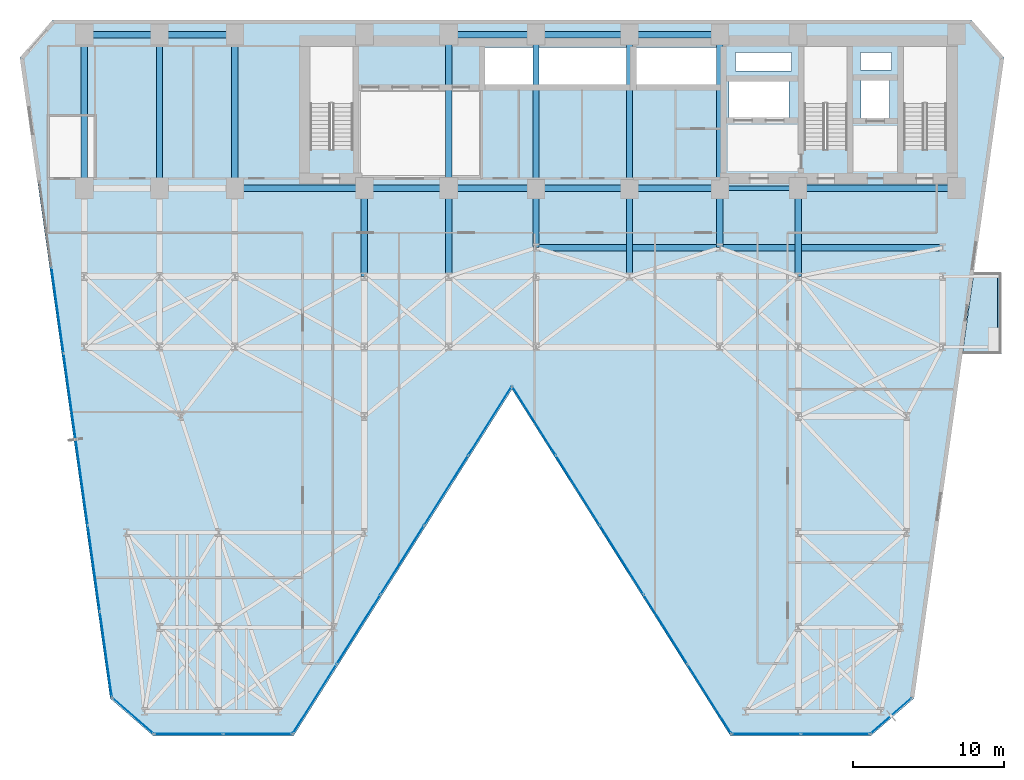
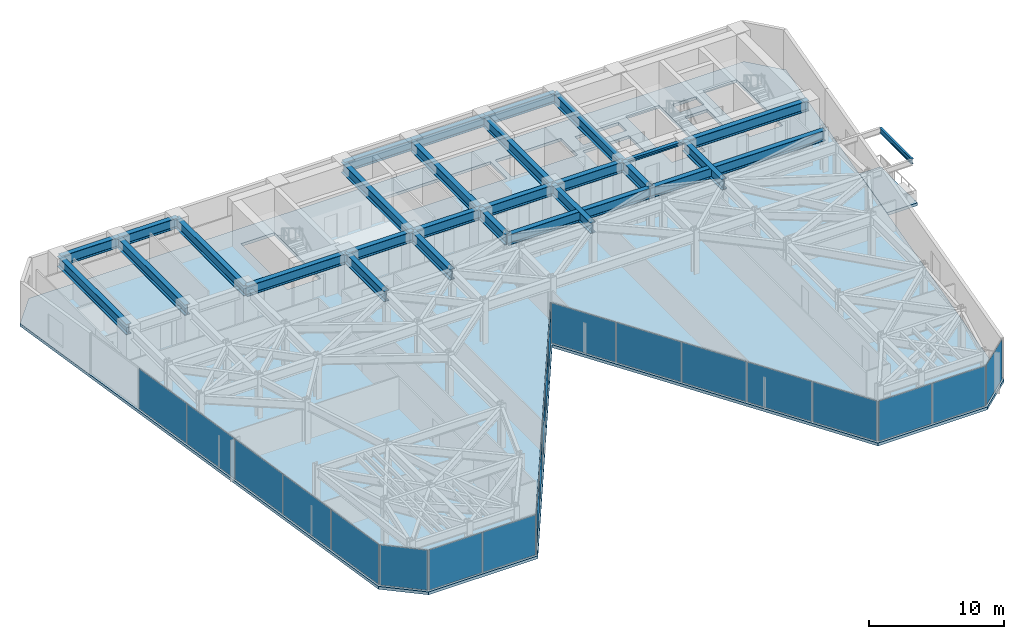
# One storey, part 18 of 25: 28 beams, 21 plates, 2 slabs, 7 elements without a shape of their own.
"""IFC4 building model written with IfcOpenShell, lengths in metres."""

from ifc_helpers import new_model, si_unit, direction, frame, origin, origin_2d, place, context, subcontext, project, spatial, polyline, rectangle, i_section, outline, extrude, material, layer, layer_set, material_profile, profile_set, type_object, element, aggregate, save


model = new_model("IFC4")

# Units and contexts
model_context = context("Model", 3, precision=1e-05, world=origin(), true_north=direction((0.0, 1.0)))
body_context = subcontext(model_context, "Body", "Model", "MODEL_VIEW")
ifc_project = project(units=[si_unit("LENGTHUNIT", "METRE"), si_unit("AREAUNIT", "SQUARE_METRE"), si_unit("VOLUMEUNIT", "CUBIC_METRE"), si_unit("PLANEANGLEUNIT", "RADIAN"), si_unit("MASSUNIT", "GRAM", prefix="KILO")], contexts=[model_context])

# Site, building, storey
site_placement = place(None, origin())
site = spatial("IfcSite", under=ifc_project, at=site_placement, CompositionType="ELEMENT")
building_placement = place(site_placement, origin())
building = spatial("IfcBuilding", under=site, at=building_placement, Name="Kravanh Interchange Tower", CompositionType="ELEMENT")
storey_placement = place(building_placement, frame((0.0, 0.0, 49.5)))
storey = spatial("IfcBuildingStorey", under=building, at=storey_placement, Name="L11", CompositionType="ELEMENT", Elevation=49.5)

# Beams
ifc_material_1 = material(Name="Structural Steel S355", Category="steel")
ifc_material_profile_1 = material_profile(ifc_material_1, i_section(OverallWidth=0.41796875, OverallDepth=0.927001953125, WebThickness=0.019287109375, FlangeThickness=0.031982421875, FilletRadius=0.028076171875, at=origin_2d()), Name="W36X231")
ifc_profile_set_1 = profile_set([ifc_material_profile_1], Name="Structural Steel S355")
beam_type_1 = type_object("IfcBeamType", Name="Floor Beam W36X231 Structural Steel S355", PredefinedType="BEAM", material=ifc_profile_set_1)
beam_1_placement = place(storey_placement, frame((66.5, 37.35009765625, 3.276611328125), z_axis=(-1.0, 0.0, 0.0), x_axis=(0.0, -1.0, 0.0)))
element("IfcBeam", 1, at=beam_1_placement, inside=storey, type_object=beam_type_1, Name="L11 Primary Floor Girder 5", PredefinedType="BEAM", context=body_context, shape_type="SweptSolid", body=[
    extrude(i_section(OverallWidth=0.41796875, OverallDepth=0.927001953125, WebThickness=0.019287109375, FlangeThickness=0.031982421875, FilletRadius=0.028076171875, at=origin_2d()), origin(), (0.0, 0.0, 1.0), 10.5),
])
beam_2_placement = place(storey_placement, frame((56.0, 37.35009765625, 3.276611328125), z_axis=(0.0, -1.0, 0.0), x_axis=(1.0, 0.0, 0.0)))
element("IfcBeam", 2, at=beam_2_placement, inside=storey, type_object=beam_type_1, Name="L11 Primary Floor Girder 7", PredefinedType="BEAM", context=body_context, shape_type="SweptSolid", body=[
    extrude(i_section(OverallWidth=0.41796875, OverallDepth=0.927001953125, WebThickness=0.019287109375, FlangeThickness=0.031982421875, FilletRadius=0.028076171875, at=origin_2d()), origin(), (0.0, 0.0, 1.0), 5.85009765625),
])
beam_3_placement = place(storey_placement, frame((50.800048828125, 47.550048828125, 3.276611328125), z_axis=(-1.0, 0.0, 0.0), x_axis=(0.0, -1.0, 0.0)))
element("IfcBeam", 3, at=beam_3_placement, inside=storey, type_object=beam_type_1, Name="L11 Primary Floor Girder 8", PredefinedType="BEAM", context=body_context, shape_type="SweptSolid", body=[
    extrude(i_section(OverallWidth=0.41796875, OverallDepth=0.927001953125, WebThickness=0.019287109375, FlangeThickness=0.031982421875, FilletRadius=0.028076171875, at=origin_2d()), origin(), (0.0, 0.0, 1.0), 6.0),
])
beam_4_placement = place(storey_placement, frame((50.800048828125, 47.550048828125, 3.276611328125), z_axis=(0.0, -1.0, 0.0), x_axis=(1.0, 0.0, 0.0)))
element("IfcBeam", 4, at=beam_4_placement, inside=storey, type_object=beam_type_1, Name="L11 Primary Floor Girder 9", PredefinedType="BEAM", context=body_context, shape_type="SweptSolid", body=[
    extrude(i_section(OverallWidth=0.41796875, OverallDepth=0.927001953125, WebThickness=0.019287109375, FlangeThickness=0.031982421875, FilletRadius=0.028076171875, at=origin_2d()), origin(), (0.0, 0.0, 1.0), 10.199951171875),
])
beam_5_placement = place(storey_placement, frame((50.800048828125, 37.35009765625, 3.276611328125), z_axis=(0.0, -1.0, 0.0), x_axis=(1.0, 0.0, 0.0)))
element("IfcBeam", 5, at=beam_5_placement, inside=storey, type_object=beam_type_1, Name="L11 Primary Floor Girder 10", PredefinedType="BEAM", context=body_context, shape_type="SweptSolid", body=[
    extrude(i_section(OverallWidth=0.41796875, OverallDepth=0.927001953125, WebThickness=0.019287109375, FlangeThickness=0.031982421875, FilletRadius=0.028076171875, at=origin_2d()), origin(), (0.0, 0.0, 1.0), 3.9501953125),
])
beam_6_placement = place(storey_placement, frame((50.800048828125, 37.35009765625, 3.276611328125), z_axis=(-1.0, 0.0, 0.0), x_axis=(0.0, -1.0, 0.0)))
element("IfcBeam", 6, at=beam_6_placement, inside=storey, type_object=beam_type_1, Name="L11 Primary Floor Girder 11", PredefinedType="BEAM", context=body_context, shape_type="SweptSolid", body=[
    extrude(i_section(OverallWidth=0.41796875, OverallDepth=0.927001953125, WebThickness=0.019287109375, FlangeThickness=0.031982421875, FilletRadius=0.028076171875, at=origin_2d()), origin(), (0.0, 0.0, 1.0), 6.0),
])
beam_7_placement = place(storey_placement, frame((44.800048828125, 37.35009765625, 3.276611328125), z_axis=(0.0, -1.0, 0.0), x_axis=(1.0, 0.0, 0.0)))
element("IfcBeam", 7, at=beam_7_placement, inside=storey, type_object=beam_type_1, Name="L11 Primary Floor Girder 12", PredefinedType="BEAM", context=body_context, shape_type="SweptSolid", body=[
    extrude(i_section(OverallWidth=0.41796875, OverallDepth=0.927001953125, WebThickness=0.019287109375, FlangeThickness=0.031982421875, FilletRadius=0.028076171875, at=origin_2d()), origin(), (0.0, 0.0, 1.0), 5.85009765625),
])
beam_8_placement = place(storey_placement, frame((44.800048828125, 37.35009765625, 3.276611328125), z_axis=(-1.0, 0.0, 0.0), x_axis=(0.0, -1.0, 0.0)))
element("IfcBeam", 8, at=beam_8_placement, inside=storey, type_object=beam_type_1, Name="L11 Primary Floor Girder 13", PredefinedType="BEAM", context=body_context, shape_type="SweptSolid", body=[
    extrude(i_section(OverallWidth=0.41796875, OverallDepth=0.927001953125, WebThickness=0.019287109375, FlangeThickness=0.031982421875, FilletRadius=0.028076171875, at=origin_2d()), origin(), (0.0, 0.0, 1.0), 6.199951171875),
])
beam_9_placement = place(storey_placement, frame((44.800048828125, 37.35009765625, 3.276611328125), z_axis=(0.0, 1.0, 0.0), x_axis=(-1.0, 0.0, 0.0)))
element("IfcBeam", 9, at=beam_9_placement, inside=storey, type_object=beam_type_1, Name="L11 Primary Floor Girder 14", PredefinedType="BEAM", context=body_context, shape_type="SweptSolid", body=[
    extrude(i_section(OverallWidth=0.41796875, OverallDepth=0.927001953125, WebThickness=0.019287109375, FlangeThickness=0.031982421875, FilletRadius=0.028076171875, at=origin_2d()), origin(), (0.0, 0.0, 1.0), 10.199951171875),
])
beam_10_placement = place(storey_placement, frame((44.800048828125, 47.550048828125, 3.276611328125), z_axis=(-1.0, 0.0, 0.0), x_axis=(0.0, -1.0, 0.0)))
element("IfcBeam", 10, at=beam_10_placement, inside=storey, type_object=beam_type_1, Name="L11 Primary Floor Girder 15", PredefinedType="BEAM", context=body_context, shape_type="SweptSolid", body=[
    extrude(i_section(OverallWidth=0.41796875, OverallDepth=0.927001953125, WebThickness=0.019287109375, FlangeThickness=0.031982421875, FilletRadius=0.028076171875, at=origin_2d()), origin(), (0.0, 0.0, 1.0), 6.199951171875),
])
beam_11_placement = place(storey_placement, frame((38.60009765625, 37.35009765625, 3.276611328125), z_axis=(0.0, -1.0, 0.0), x_axis=(1.0, 0.0, 0.0)))
element("IfcBeam", 11, at=beam_11_placement, inside=storey, type_object=beam_type_1, Name="L11 Primary Floor Girder 16", PredefinedType="BEAM", context=body_context, shape_type="SweptSolid", body=[
    extrude(i_section(OverallWidth=0.41796875, OverallDepth=0.927001953125, WebThickness=0.019287109375, FlangeThickness=0.031982421875, FilletRadius=0.028076171875, at=origin_2d()), origin(), (0.0, 0.0, 1.0), 3.9501953125),
])
beam_12_placement = place(storey_placement, frame((38.60009765625, 37.35009765625, 3.276611328125), z_axis=(-1.0, 0.0, 0.0), x_axis=(0.0, -1.0, 0.0)))
element("IfcBeam", 12, at=beam_12_placement, inside=storey, type_object=beam_type_1, Name="L11 Primary Floor Girder 17", PredefinedType="BEAM", context=body_context, shape_type="SweptSolid", body=[
    extrude(i_section(OverallWidth=0.41796875, OverallDepth=0.927001953125, WebThickness=0.019287109375, FlangeThickness=0.031982421875, FilletRadius=0.028076171875, at=origin_2d()), origin(), (0.0, 0.0, 1.0), 5.800048828125),
])
beam_13_placement = place(storey_placement, frame((38.60009765625, 37.35009765625, 3.276611328125), z_axis=(0.0, 1.0, 0.0), x_axis=(-1.0, 0.0, 0.0)))
element("IfcBeam", 13, at=beam_13_placement, inside=storey, type_object=beam_type_1, Name="L11 Primary Floor Girder 18", PredefinedType="BEAM", context=body_context, shape_type="SweptSolid", body=[
    extrude(i_section(OverallWidth=0.41796875, OverallDepth=0.927001953125, WebThickness=0.019287109375, FlangeThickness=0.031982421875, FilletRadius=0.028076171875, at=origin_2d()), origin(), (0.0, 0.0, 1.0), 10.199951171875),
])
beam_14_placement = place(storey_placement, frame((38.60009765625, 47.550048828125, 3.276611328125), z_axis=(-1.0, 0.0, 0.0), x_axis=(0.0, -1.0, 0.0)))
element("IfcBeam", 14, at=beam_14_placement, inside=storey, type_object=beam_type_1, Name="L11 Primary Floor Girder 19", PredefinedType="BEAM", context=body_context, shape_type="SweptSolid", body=[
    extrude(i_section(OverallWidth=0.41796875, OverallDepth=0.927001953125, WebThickness=0.019287109375, FlangeThickness=0.031982421875, FilletRadius=0.028076171875, at=origin_2d()), origin(), (0.0, 0.0, 1.0), 5.800048828125),
])
beam_15_placement = place(storey_placement, frame((32.800048828125, 37.35009765625, 3.276611328125), z_axis=(-1.0, 0.0, 0.0), x_axis=(0.0, -1.0, 0.0)))
element("IfcBeam", 15, at=beam_15_placement, inside=storey, type_object=beam_type_1, Name="L11 Primary Floor Girder 20", PredefinedType="BEAM", context=body_context, shape_type="SweptSolid", body=[
    extrude(i_section(OverallWidth=0.41796875, OverallDepth=0.927001953125, WebThickness=0.019287109375, FlangeThickness=0.031982421875, FilletRadius=0.028076171875, at=origin_2d()), origin(), (0.0, 0.0, 1.0), 5.60009765625),
])
beam_16_placement = place(storey_placement, frame((32.800048828125, 37.35009765625, 3.276611328125), z_axis=(0.0, -1.0, 0.0), x_axis=(1.0, 0.0, 0.0)))
element("IfcBeam", 16, at=beam_16_placement, inside=storey, type_object=beam_type_1, Name="L11 Primary Floor Girder 21", PredefinedType="BEAM", context=body_context, shape_type="SweptSolid", body=[
    extrude(i_section(OverallWidth=0.41796875, OverallDepth=0.927001953125, WebThickness=0.019287109375, FlangeThickness=0.031982421875, FilletRadius=0.028076171875, at=origin_2d()), origin(), (0.0, 0.0, 1.0), 5.85009765625),
])
beam_17_placement = place(storey_placement, frame((32.800048828125, 37.35009765625, 3.276611328125), z_axis=(0.0, 1.0, 0.0), x_axis=(-1.0, 0.0, 0.0)))
element("IfcBeam", 17, at=beam_17_placement, inside=storey, type_object=beam_type_1, Name="L11 Primary Floor Girder 22", PredefinedType="BEAM", context=body_context, shape_type="SweptSolid", body=[
    extrude(i_section(OverallWidth=0.41796875, OverallDepth=0.927001953125, WebThickness=0.019287109375, FlangeThickness=0.031982421875, FilletRadius=0.028076171875, at=origin_2d()), origin(), (0.0, 0.0, 1.0), 10.199951171875),
])
beam_18_placement = place(storey_placement, frame((27.199951171875, 37.35009765625, 3.276611328125), z_axis=(0.0, -1.0, 0.0), x_axis=(1.0, 0.0, 0.0)))
element("IfcBeam", 18, at=beam_18_placement, inside=storey, type_object=beam_type_1, Name="L11 Primary Floor Girder 24", PredefinedType="BEAM", context=body_context, shape_type="SweptSolid", body=[
    extrude(i_section(OverallWidth=0.41796875, OverallDepth=0.927001953125, WebThickness=0.019287109375, FlangeThickness=0.031982421875, FilletRadius=0.028076171875, at=origin_2d()), origin(), (0.0, 0.0, 1.0), 5.85009765625),
])
beam_19_placement = place(storey_placement, frame((27.199951171875, 37.35009765625, 3.276611328125), z_axis=(-1.0, 0.0, 0.0), x_axis=(0.0, -1.0, 0.0)))
element("IfcBeam", 19, at=beam_19_placement, inside=storey, type_object=beam_type_1, Name="L11 Primary Floor Girder 25", PredefinedType="BEAM", context=body_context, shape_type="SweptSolid", body=[
    extrude(i_section(OverallWidth=0.41796875, OverallDepth=0.927001953125, WebThickness=0.019287109375, FlangeThickness=0.031982421875, FilletRadius=0.028076171875, at=origin_2d()), origin(), (0.0, 0.0, 1.0), 8.599853515625),
])
beam_20_placement = place(storey_placement, frame((18.60009765625, 37.35009765625, 3.276611328125), z_axis=(0.0, 1.0, 0.0), x_axis=(-1.0, 0.0, 0.0)))
element("IfcBeam", 20, at=beam_20_placement, inside=storey, type_object=beam_type_1, Name="L11 Primary Floor Girder 30", PredefinedType="BEAM", context=body_context, shape_type="SweptSolid", body=[
    extrude(i_section(OverallWidth=0.41796875, OverallDepth=0.927001953125, WebThickness=0.019287109375, FlangeThickness=0.031982421875, FilletRadius=0.028076171875, at=origin_2d()), origin(), (0.0, 0.0, 1.0), 10.199951171875),
])
beam_21_placement = place(storey_placement, frame((18.60009765625, 47.550048828125, 3.276611328125), z_axis=(-1.0, 0.0, 0.0), x_axis=(0.0, -1.0, 0.0)))
element("IfcBeam", 21, at=beam_21_placement, inside=storey, type_object=beam_type_1, Name="L11 Primary Floor Girder 31", PredefinedType="BEAM", context=body_context, shape_type="SweptSolid", body=[
    extrude(i_section(OverallWidth=0.41796875, OverallDepth=0.927001953125, WebThickness=0.019287109375, FlangeThickness=0.031982421875, FilletRadius=0.028076171875, at=origin_2d()), origin(), (0.0, 0.0, 1.0), 5.0),
])
beam_22_placement = place(storey_placement, frame((13.60009765625, 37.35009765625, 3.276611328125), z_axis=(0.0, 1.0, 0.0), x_axis=(-1.0, 0.0, 0.0)))
element("IfcBeam", 22, at=beam_22_placement, inside=storey, type_object=beam_type_1, Name="L11 Primary Floor Girder 34", PredefinedType="BEAM", context=body_context, shape_type="SweptSolid", body=[
    extrude(i_section(OverallWidth=0.41796875, OverallDepth=0.927001953125, WebThickness=0.019287109375, FlangeThickness=0.031982421875, FilletRadius=0.028076171875, at=origin_2d()), origin(), (0.0, 0.0, 1.0), 10.199951171875),
])
beam_23_placement = place(storey_placement, frame((13.60009765625, 47.550048828125, 3.276611328125), z_axis=(-1.0, 0.0, 0.0), x_axis=(0.0, -1.0, 0.0)))
element("IfcBeam", 23, at=beam_23_placement, inside=storey, type_object=beam_type_1, Name="L11 Primary Floor Girder 35", PredefinedType="BEAM", context=body_context, shape_type="SweptSolid", body=[
    extrude(i_section(OverallWidth=0.41796875, OverallDepth=0.927001953125, WebThickness=0.019287109375, FlangeThickness=0.031982421875, FilletRadius=0.028076171875, at=origin_2d()), origin(), (0.0, 0.0, 1.0), 5.0),
])
beam_24_placement = place(storey_placement, frame((8.60009765625, 37.35009765625, 3.276611328125), z_axis=(0.0, 1.0, 0.0), x_axis=(-1.0, 0.0, 0.0)))
element("IfcBeam", 24, at=beam_24_placement, inside=storey, type_object=beam_type_1, Name="L11 Primary Floor Girder 37", PredefinedType="BEAM", context=body_context, shape_type="SweptSolid", body=[
    extrude(i_section(OverallWidth=0.41796875, OverallDepth=0.927001953125, WebThickness=0.019287109375, FlangeThickness=0.031982421875, FilletRadius=0.028076171875, at=origin_2d()), origin(), (0.0, 0.0, 1.0), 10.199951171875),
])
beam_25_placement = place(storey_placement, frame((38.60009765625, 33.39990234375, 3.276611328125), z_axis=(1.0, 0.0, 0.0), x_axis=(0.0, 1.0, 0.0)))
element("IfcBeam", 25, at=beam_25_placement, inside=storey, type_object=beam_type_1, Name="L11 Primary Floor Girder 145", PredefinedType="BEAM", context=body_context, shape_type="SweptSolid", body=[
    extrude(i_section(OverallWidth=0.41796875, OverallDepth=0.927001953125, WebThickness=0.019287109375, FlangeThickness=0.031982421875, FilletRadius=0.028076171875, at=origin_2d()), origin(), (0.0, 0.0, 1.0), 12.199951171875),
])
beam_26_placement = place(storey_placement, frame((50.800048828125, 33.39990234375, 3.276611328125), z_axis=(1.0, 0.0, 0.0), x_axis=(0.0, 1.0, 0.0)))
element("IfcBeam", 26, at=beam_26_placement, inside=storey, type_object=beam_type_1, Name="L11 Primary Floor Girder 146", PredefinedType="BEAM", context=body_context, shape_type="SweptSolid", body=[
    extrude(i_section(OverallWidth=0.41796875, OverallDepth=0.927001953125, WebThickness=0.019287109375, FlangeThickness=0.031982421875, FilletRadius=0.028076171875, at=origin_2d()), origin(), (0.0, 0.0, 1.0), 14.800048828125),
])
ifc_material_2 = material(Name="Structural Steel S355", Category="steel")
ifc_material_profile_2 = material_profile(ifc_material_2, i_section(OverallWidth=0.18994140625, OverallDepth=0.45703125, WebThickness=0.009033203125, FlangeThickness=0.014404296875, FilletRadius=0.01806640625, at=origin_2d()), Name="W18X50")
ifc_profile_set_2 = profile_set([ifc_material_profile_2], Name="Structural Steel S355")
beam_type_2 = type_object("IfcBeamType", Name="Floor Joist W18X50 Structural Steel S355", PredefinedType="JOIST", material=ifc_profile_set_2)
beam_27_placement = place(storey_placement, frame((69.330078125, 26.800048828125, 3.511474609375), z_axis=(0.0, 1.0, 0.0), x_axis=(-1.0, 0.0, 0.0)))
element("IfcBeam", 27, at=beam_27_placement, inside=storey, type_object=beam_type_2, Name="L11 Balcony Edge Tie Beam E", PredefinedType="JOIST", context=body_context, shape_type="SweptSolid", body=[
    extrude(i_section(OverallWidth=0.18994140625, OverallDepth=0.45703125, WebThickness=0.009033203125, FlangeThickness=0.014404296875, FilletRadius=0.01806640625, at=origin_2d()), origin(), (0.0, 0.0, 1.0), 4.699951171875),
])
ifc_material_3 = material(Name="Structural Steel S355", Category="steel")
ifc_material_profile_3 = material_profile(ifc_material_3, i_section(OverallWidth=0.304931640625, OverallDepth=0.306884765625, WebThickness=0.010009765625, FlangeThickness=0.015380859375, FilletRadius=0.014892578125, at=origin_2d()), Name="W12X65")
ifc_profile_set_3 = profile_set([ifc_material_profile_3], Name="Structural Steel S355")
beam_type_3 = type_object("IfcBeamType", Name="Floor Lintel W12X65 Structural Steel S355", PredefinedType="LINTEL", material=ifc_profile_set_3)
beam_28_placement = place(storey_placement, frame((50.800048828125, 37.35009765625, 3.58642578125), z_axis=(1.0, 0.0, 0.0), x_axis=(0.0, 1.0, 0.0)))
element("IfcBeam", 28, at=beam_28_placement, inside=storey, type_object=beam_type_3, Name="L11 Core Coupling Lintel 1", PredefinedType="LINTEL", context=body_context, shape_type="SweptSolid", body=[
    extrude(i_section(OverallWidth=0.304931640625, OverallDepth=0.306884765625, WebThickness=0.010009765625, FlangeThickness=0.015380859375, FilletRadius=0.014892578125, at=origin_2d()), origin(), (0.0, 0.0, 1.0), 5.199951171875),
])

# Slabs
ifc_material_4 = material(Name="Concrete C50/60", Category="concrete")
ifc_layer_1 = layer(ifc_material_4, 0.260009765625)
ifc_layer_set_1 = layer_set([ifc_layer_1], Name="Composite Floor Slab Concrete C50/60 260mm")
slab_type_1 = type_object("IfcSlabType", Name="Composite Floor Slab Concrete C50/60 260mm", PredefinedType="FLOOR", material=ifc_layer_set_1)
slab_1_placement = place(storey_placement, frame((0.0, 0.0, -0.260009765625)))
element("IfcSlab", 29, at=slab_1_placement, inside=storey, type_object=slab_type_1, Name="L11 Structural Floor Slab", PredefinedType="FLOOR", context=body_context, shape_type="SweptSolid", body=[
    extrude(outline(polyline([(10.327880859375, 3.4755859375), (13.17578125, 1.0), (22.5, 1.0), (37.0, 24.0), (51.5, 1.0), (60.82421875, 1.0), (63.672119140625, 3.4755859375), (69.652099609375, 46.0244140625), (67.5, 48.5), (6.5, 48.5), (4.347900390625, 46.0244140625), (10.327880859375, 3.4755859375)]), holes=[polyline([(65.85009765625, 39.925048828125), (65.85009765625, 46.75), (63.0, 46.75), (63.0, 39.925048828125), (65.85009765625, 39.925048828125)]), polyline([(59.25, 39.925048828125), (59.25, 46.75), (56.39990234375, 46.75), (56.39990234375, 39.925048828125), (59.25, 39.925048828125)]), polyline([(26.449951171875, 39.925048828125), (26.449951171875, 46.75), (23.60009765625, 46.75), (23.60009765625, 39.925048828125), (26.449951171875, 39.925048828125)]), polyline([(35.179931640625, 44.219970703125), (44.840087890625, 44.219970703125), (44.840087890625, 46.699951171875), (35.179931640625, 46.699951171875), (35.179931640625, 44.219970703125)]), polyline([(45.239990234375, 44.219970703125), (50.840087890625, 44.219970703125), (50.840087890625, 46.699951171875), (45.239990234375, 46.699951171875), (45.239990234375, 44.219970703125)]), polyline([(51.419921875, 42.02001953125), (55.3798828125, 42.02001953125), (55.3798828125, 44.47998046875), (51.419921875, 44.47998046875), (51.419921875, 42.02001953125)]), polyline([(60.179931640625, 41.97998046875), (62.06005859375, 41.97998046875), (62.06005859375, 44.52001953125), (60.179931640625, 44.52001953125), (60.179931640625, 41.97998046875)]), polyline([(60.14990234375, 45.199951171875), (62.199951171875, 45.199951171875), (62.199951171875, 46.35009765625), (60.14990234375, 46.35009765625), (60.14990234375, 45.199951171875)]), polyline([(51.85009765625, 45.14990234375), (55.550048828125, 45.14990234375), (55.550048828125, 46.35009765625), (51.85009765625, 46.35009765625), (51.85009765625, 45.14990234375)])]), origin(), (0.0, 0.0, 1.0), 0.260009765625),
])
ifc_material_5 = material(Name="Concrete C50/60", Category="concrete")
ifc_layer_2 = layer(ifc_material_5, 0.199951171875)
ifc_layer_set_2 = layer_set([ifc_layer_2], Name="Planted Tree Balcony Slab Concrete C50/60 200mm")
slab_type_2 = type_object("IfcSlabType", Name="Planted Tree Balcony Slab Concrete C50/60 200mm", PredefinedType="USERDEFINED", material=ifc_layer_set_2)
slab_2_placement = place(storey_placement, frame((0.0, 0.0, -0.260009765625)))
element("IfcSlab", 30, at=slab_2_placement, inside=storey, type_object=slab_type_2, Name="L11 East Tree Planter Balcony Slab", ObjectType="BALCONY", PredefinedType="USERDEFINED", context=body_context, shape_type="SweptSolid", body=[
    extrude(outline(polyline([(69.489990234375, 31.75), (69.489990234375, 26.35009765625), (66.902099609375, 26.35009765625), (67.6611328125, 31.75), (69.489990234375, 31.75)])), origin(), (0.0, 0.0, 1.0), 0.260009765625),
])

# Curtain wall, plates
ifc_material_6 = material(Name="Anodised Bronze Aluminium", Category="aluminium")
ifc_layer_3 = layer(ifc_material_6, 0.179931640625)
ifc_layer_set_3 = layer_set([ifc_layer_3], Name="Unitised Curtain Wall System CW-Z1 Lower Office")
curtain_wall_type = type_object("IfcCurtainWallType", Name="Unitised Curtain Wall System CW-Z1 Lower Office", PredefinedType="NOTDEFINED", material=ifc_layer_set_3)
curtain_wall_1_placement = place(storey_placement, origin())
curtain_wall_1 = element("IfcCurtainWall", 31, at=curtain_wall_1_placement, inside=storey, type_object=curtain_wall_type, Name="L11 Unitised Curtain Wall CW-L11-01", PredefinedType="NOTDEFINED")
ifc_material_7 = material(Name="Low-E Laminated Architectural Glass", Category="glass")
ifc_layer_4 = layer(ifc_material_7, 0.028076171875)
ifc_layer_set_4 = layer_set([ifc_layer_4], Name="Solar-Control Double Glazing 28mm")
plate_type = type_object("IfcPlateType", Name="Solar-Control Double Glazing 28mm", PredefinedType="CURTAIN_PANEL", material=ifc_layer_set_4)
plate_1_placement = place(storey_placement, frame((10.03662109375, 6.409423828125, 0.06005859375), z_axis=(0.0, 0.0, 1.0), x_axis=(-0.139176538065, 0.990267585682, 0.0)))
plate_1 = element("IfcPlate", 32, at=plate_1_placement, type_object=plate_type, Name="CW-Z1 panel 1.1", PredefinedType="CURTAIN_PANEL", context=body_context, shape_type="SweptSolid", body=[
    extrude(rectangle(XDim=5.66162109375, YDim=0.028076171875, at=origin_2d()), origin(), (0.0, 0.0, 1.0), 3.6201171875),
])
plate_2_placement = place(storey_placement, frame((9.236572265625, 12.1025390625, 0.06005859375), z_axis=(0.0, 0.0, 1.0), x_axis=(-0.139176538065, 0.990267585682, 0.0)))
plate_2 = element("IfcPlate", 33, at=plate_2_placement, type_object=plate_type, Name="CW-Z1 panel 2.1", PredefinedType="CURTAIN_PANEL", context=body_context, shape_type="SweptSolid", body=[
    extrude(rectangle(XDim=5.69677734375, YDim=0.028076171875, at=origin_2d()), origin(), (0.0, 0.0, 1.0), 3.6201171875),
])
plate_3_placement = place(storey_placement, frame((8.433837890625, 17.813232421875, 0.06005859375), z_axis=(0.0, 0.0, 1.0), x_axis=(-0.139176538065, 0.990267585682, 0.0)))
plate_3 = element("IfcPlate", 34, at=plate_3_placement, type_object=plate_type, Name="CW-Z1 panel 3.1", PredefinedType="CURTAIN_PANEL", context=body_context, shape_type="SweptSolid", body=[
    extrude(rectangle(XDim=5.69677734375, YDim=0.028076171875, at=origin_2d()), origin(), (0.0, 0.0, 1.0), 3.6201171875),
])
plate_4_placement = place(storey_placement, frame((7.63134765625, 23.523681640625, 0.06005859375), z_axis=(0.0, 0.0, 1.0), x_axis=(-0.139176538065, 0.990267585682, 0.0)))
plate_4 = element("IfcPlate", 35, at=plate_4_placement, type_object=plate_type, Name="CW-Z1 panel 4.1", PredefinedType="CURTAIN_PANEL", context=body_context, shape_type="SweptSolid", body=[
    extrude(rectangle(XDim=5.69677734375, YDim=0.028076171875, at=origin_2d()), origin(), (0.0, 0.0, 1.0), 3.6201171875),
])
plate_5_placement = place(storey_placement, frame((6.828857421875, 29.234130859375, 0.06005859375), z_axis=(0.0, 0.0, 1.0), x_axis=(-0.139176538065, 0.990267585682, 0.0)))
plate_5 = element("IfcPlate", 36, at=plate_5_placement, type_object=plate_type, Name="CW-Z1 panel 5.1", PredefinedType="CURTAIN_PANEL", context=body_context, shape_type="SweptSolid", body=[
    extrude(rectangle(XDim=5.69677734375, YDim=0.028076171875, at=origin_2d()), origin(), (0.0, 0.0, 1.0), 3.6201171875),
])
aggregate(curtain_wall_1, [plate_1, plate_2, plate_3, plate_4, plate_5])

# Curtain wall, plate
curtain_wall_2_placement = place(storey_placement, origin())
curtain_wall_2 = element("IfcCurtainWall", 37, at=curtain_wall_2_placement, inside=storey, type_object=curtain_wall_type, Name="L11 Unitised Curtain Wall CW-L11-02", PredefinedType="NOTDEFINED")
plate_6_placement = place(storey_placement, frame((62.16943359375, 2.328369140625, 0.06005859375), z_axis=(0.0, 0.0, 1.0), x_axis=(-0.754708368999, -0.656060422341, 0.0)))
plate_6 = element("IfcPlate", 38, at=plate_6_placement, type_object=plate_type, Name="CW-Z1 panel 1.1", PredefinedType="CURTAIN_PANEL", context=body_context, shape_type="SweptSolid", body=[
    extrude(rectangle(XDim=3.543701171875, YDim=0.028076171875, at=origin_2d()), origin(), (0.0, 0.0, 1.0), 3.6201171875),
])
aggregate(curtain_wall_2, [plate_6])

# Curtain wall, plates
curtain_wall_3_placement = place(storey_placement, origin())
curtain_wall_3 = element("IfcCurtainWall", 39, at=curtain_wall_3_placement, inside=storey, type_object=curtain_wall_type, Name="L11 Unitised Curtain Wall CW-L11-03", PredefinedType="NOTDEFINED")
plate_7_placement = place(storey_placement, frame((58.45849609375, 1.1201171875, 0.06005859375), z_axis=(0.0, 0.0, 1.0), x_axis=(-1.0, 0.0, 0.0)))
plate_7 = element("IfcPlate", 40, at=plate_7_placement, type_object=plate_type, Name="CW-Z1 panel 1.1", PredefinedType="CURTAIN_PANEL", context=body_context, shape_type="SweptSolid", body=[
    extrude(rectangle(XDim=4.501708984375, YDim=0.028076171875, at=origin_2d()), origin(), (0.0, 0.0, 1.0), 3.6201171875),
])
plate_8_placement = place(storey_placement, frame((53.886962890625, 1.1201171875, 0.06005859375), z_axis=(0.0, 0.0, 1.0), x_axis=(-1.0, 0.0, 0.0)))
plate_8 = element("IfcPlate", 41, at=plate_8_placement, type_object=plate_type, Name="CW-Z1 panel 2.1", PredefinedType="CURTAIN_PANEL", context=body_context, shape_type="SweptSolid", body=[
    extrude(rectangle(XDim=4.501708984375, YDim=0.028076171875, at=origin_2d()), origin(), (0.0, 0.0, 1.0), 3.6201171875),
])
aggregate(curtain_wall_3, [plate_7, plate_8])

curtain_wall_4_placement = place(storey_placement, origin())
curtain_wall_4 = element("IfcCurtainWall", 42, at=curtain_wall_4_placement, inside=storey, type_object=curtain_wall_type, Name="L11 Unitised Curtain Wall CW-L11-04", PredefinedType="NOTDEFINED")
plate_9_placement = place(storey_placement, frame((50.100341796875, 3.4453125, 0.06005859375), z_axis=(0.0, 0.0, 1.0), x_axis=(-0.53330103728, 0.845925530786, 0.0)))
plate_9 = element("IfcPlate", 43, at=plate_9_placement, type_object=plate_type, Name="CW-Z1 panel 1.1", PredefinedType="CURTAIN_PANEL", context=body_context, shape_type="SweptSolid", body=[
    extrude(rectangle(XDim=5.357666015625, YDim=0.028076171875, at=origin_2d()), origin(), (0.0, 0.0, 1.0), 3.6201171875),
])
plate_10_placement = place(storey_placement, frame((47.1962890625, 8.051513671875, 0.06005859375), z_axis=(0.0, 0.0, 1.0), x_axis=(-0.53330103728, 0.845925530786, 0.0)))
plate_10 = element("IfcPlate", 44, at=plate_10_placement, type_object=plate_type, Name="CW-Z1 panel 2.1", PredefinedType="CURTAIN_PANEL", context=body_context, shape_type="SweptSolid", body=[
    extrude(rectangle(XDim=5.392578125, YDim=0.028076171875, at=origin_2d()), origin(), (0.0, 0.0, 1.0), 3.6201171875),
])
plate_11_placement = place(storey_placement, frame((44.283203125, 12.672607421875, 0.06005859375), z_axis=(0.0, 0.0, 1.0), x_axis=(-0.53330103728, 0.845925530786, 0.0)))
plate_11 = element("IfcPlate", 45, at=plate_11_placement, type_object=plate_type, Name="CW-Z1 panel 3.1", PredefinedType="CURTAIN_PANEL", context=body_context, shape_type="SweptSolid", body=[
    extrude(rectangle(XDim=5.392578125, YDim=0.028076171875, at=origin_2d()), origin(), (0.0, 0.0, 1.0), 3.6201171875),
])
plate_12_placement = place(storey_placement, frame((41.369873046875, 17.29345703125, 0.06005859375), z_axis=(0.0, 0.0, 1.0), x_axis=(-0.53330103728, 0.845925530786, 0.0)))
plate_12 = element("IfcPlate", 46, at=plate_12_placement, type_object=plate_type, Name="CW-Z1 panel 4.1", PredefinedType="CURTAIN_PANEL", context=body_context, shape_type="SweptSolid", body=[
    extrude(rectangle(XDim=5.392578125, YDim=0.028076171875, at=origin_2d()), origin(), (0.0, 0.0, 1.0), 3.6201171875),
])
plate_13_placement = place(storey_placement, frame((38.466064453125, 21.899658203125, 0.06005859375), z_axis=(0.0, 0.0, 1.0), x_axis=(-0.53330103728, 0.845925530786, 0.0)))
plate_13 = element("IfcPlate", 47, at=plate_13_placement, type_object=plate_type, Name="CW-Z1 panel 5.1", PredefinedType="CURTAIN_PANEL", context=body_context, shape_type="SweptSolid", body=[
    extrude(rectangle(XDim=5.357666015625, YDim=0.028076171875, at=origin_2d()), origin(), (0.0, 0.0, 1.0), 3.6201171875),
])
aggregate(curtain_wall_4, [plate_9, plate_10, plate_11, plate_12, plate_13])

curtain_wall_5_placement = place(storey_placement, origin())
curtain_wall_5 = element("IfcCurtainWall", 48, at=curtain_wall_5_placement, inside=storey, type_object=curtain_wall_type, Name="L11 Unitised Curtain Wall CW-L11-05", PredefinedType="NOTDEFINED")
plate_14_placement = place(storey_placement, frame((35.533935546875, 21.899658203125, 0.06005859375), z_axis=(0.0, 0.0, 1.0), x_axis=(-0.53330103728, -0.845925530786, 0.0)))
plate_14 = element("IfcPlate", 49, at=plate_14_placement, type_object=plate_type, Name="CW-Z1 panel 1.1", PredefinedType="CURTAIN_PANEL", context=body_context, shape_type="SweptSolid", body=[
    extrude(rectangle(XDim=5.357666015625, YDim=0.028076171875, at=origin_2d()), origin(), (0.0, 0.0, 1.0), 3.6201171875),
])
plate_15_placement = place(storey_placement, frame((32.630126953125, 17.29345703125, 0.06005859375), z_axis=(0.0, 0.0, 1.0), x_axis=(-0.53330103728, -0.845925530786, 0.0)))
plate_15 = element("IfcPlate", 50, at=plate_15_placement, type_object=plate_type, Name="CW-Z1 panel 2.1", PredefinedType="CURTAIN_PANEL", context=body_context, shape_type="SweptSolid", body=[
    extrude(rectangle(XDim=5.392578125, YDim=0.028076171875, at=origin_2d()), origin(), (0.0, 0.0, 1.0), 3.6201171875),
])
plate_16_placement = place(storey_placement, frame((29.716796875, 12.672607421875, 0.06005859375), z_axis=(0.0, 0.0, 1.0), x_axis=(-0.53330103728, -0.845925530786, 0.0)))
plate_16 = element("IfcPlate", 51, at=plate_16_placement, type_object=plate_type, Name="CW-Z1 panel 3.1", PredefinedType="CURTAIN_PANEL", context=body_context, shape_type="SweptSolid", body=[
    extrude(rectangle(XDim=5.392578125, YDim=0.028076171875, at=origin_2d()), origin(), (0.0, 0.0, 1.0), 3.6201171875),
])
plate_17_placement = place(storey_placement, frame((26.8037109375, 8.051513671875, 0.06005859375), z_axis=(0.0, 0.0, 1.0), x_axis=(-0.53330103728, -0.845925530786, 0.0)))
plate_17 = element("IfcPlate", 52, at=plate_17_placement, type_object=plate_type, Name="CW-Z1 panel 4.1", PredefinedType="CURTAIN_PANEL", context=body_context, shape_type="SweptSolid", body=[
    extrude(rectangle(XDim=5.392578125, YDim=0.028076171875, at=origin_2d()), origin(), (0.0, 0.0, 1.0), 3.6201171875),
])
plate_18_placement = place(storey_placement, frame((23.899658203125, 3.4453125, 0.06005859375), z_axis=(0.0, 0.0, 1.0), x_axis=(-0.53330103728, -0.845925530786, 0.0)))
plate_18 = element("IfcPlate", 53, at=plate_18_placement, type_object=plate_type, Name="CW-Z1 panel 5.1", PredefinedType="CURTAIN_PANEL", context=body_context, shape_type="SweptSolid", body=[
    extrude(rectangle(XDim=5.357666015625, YDim=0.028076171875, at=origin_2d()), origin(), (0.0, 0.0, 1.0), 3.6201171875),
])
aggregate(curtain_wall_5, [plate_14, plate_15, plate_16, plate_17, plate_18])

curtain_wall_6_placement = place(storey_placement, origin())
curtain_wall_6 = element("IfcCurtainWall", 54, at=curtain_wall_6_placement, inside=storey, type_object=curtain_wall_type, Name="L11 Unitised Curtain Wall CW-L11-06", PredefinedType="NOTDEFINED")
plate_19_placement = place(storey_placement, frame((20.113037109375, 1.1201171875, 0.06005859375), z_axis=(0.0, 0.0, 1.0), x_axis=(-1.0, 0.0, 0.0)))
plate_19 = element("IfcPlate", 55, at=plate_19_placement, type_object=plate_type, Name="CW-Z1 panel 1.1", PredefinedType="CURTAIN_PANEL", context=body_context, shape_type="SweptSolid", body=[
    extrude(rectangle(XDim=4.501708984375, YDim=0.028076171875, at=origin_2d()), origin(), (0.0, 0.0, 1.0), 3.6201171875),
])
plate_20_placement = place(storey_placement, frame((15.54150390625, 1.1201171875, 0.06005859375), z_axis=(0.0, 0.0, 1.0), x_axis=(-1.0, 0.0, 0.0)))
plate_20 = element("IfcPlate", 56, at=plate_20_placement, type_object=plate_type, Name="CW-Z1 panel 2.1", PredefinedType="CURTAIN_PANEL", context=body_context, shape_type="SweptSolid", body=[
    extrude(rectangle(XDim=4.501708984375, YDim=0.028076171875, at=origin_2d()), origin(), (0.0, 0.0, 1.0), 3.6201171875),
])
aggregate(curtain_wall_6, [plate_19, plate_20])

# Curtain wall, plate
curtain_wall_7_placement = place(storey_placement, origin())
curtain_wall_7 = element("IfcCurtainWall", 57, at=curtain_wall_7_placement, inside=storey, type_object=curtain_wall_type, Name="L11 Unitised Curtain Wall CW-L11-07", PredefinedType="NOTDEFINED")
plate_21_placement = place(storey_placement, frame((11.83056640625, 2.328369140625, 0.06005859375), z_axis=(0.0, 0.0, 1.0), x_axis=(-0.754708368999, 0.656060422341, 0.0)))
plate_21 = element("IfcPlate", 58, at=plate_21_placement, type_object=plate_type, Name="CW-Z1 panel 1.1", PredefinedType="CURTAIN_PANEL", context=body_context, shape_type="SweptSolid", body=[
    extrude(rectangle(XDim=3.543701171875, YDim=0.028076171875, at=origin_2d()), origin(), (0.0, 0.0, 1.0), 3.6201171875),
])
aggregate(curtain_wall_7, [plate_21])

save(model, "model.ifc")
